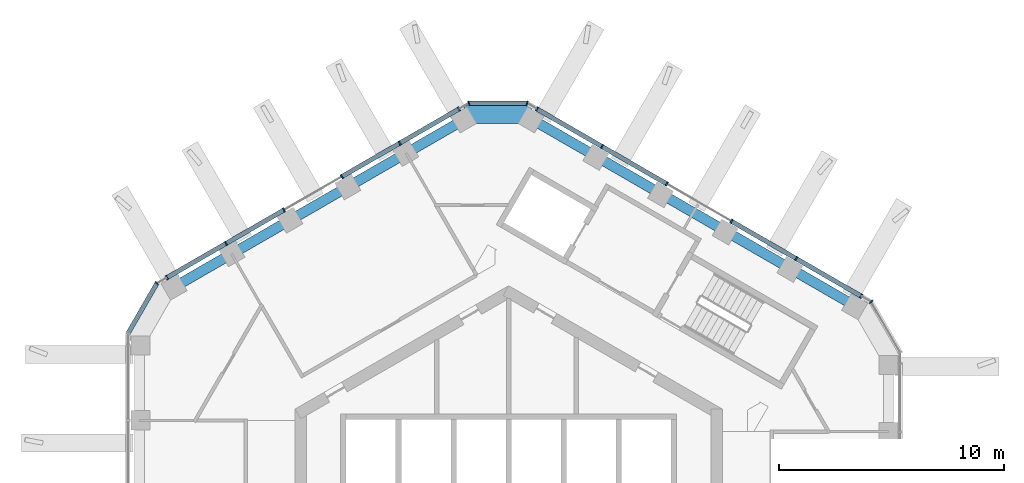
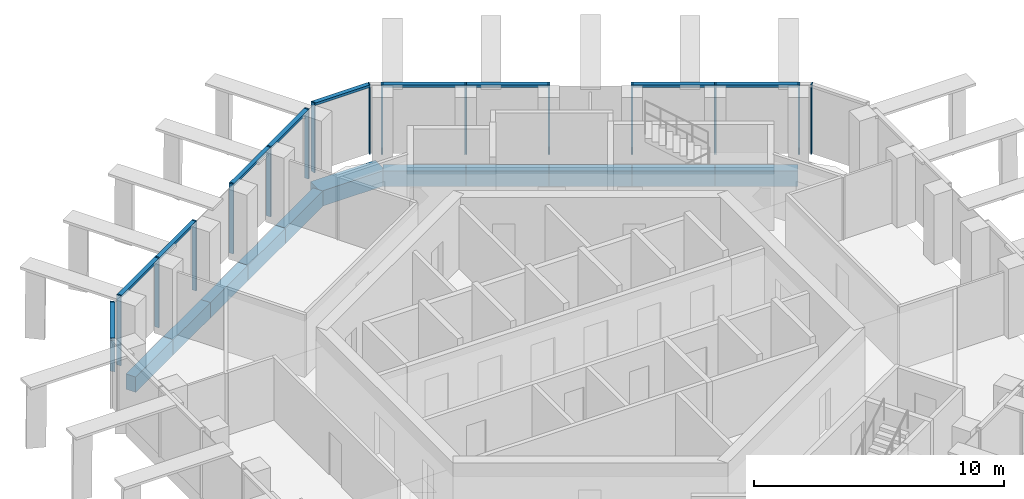
# One storey, part 5 of 17: 22 members, 11 beams, 5 elements without a shape of their own.
"""IFC4 building model written with IfcOpenShell, lengths in metres."""

from ifc_helpers import new_model, si_unit, direction, frame, origin, origin_2d, place, context, subcontext, project, spatial, rectangle, extrude, material, layer, layer_set, material_profile, profile_set, type_object, element, aggregate, save


model = new_model("IFC4")

# Units and contexts
model_context = context("Model", 3, precision=1e-05, world=origin(), true_north=direction((0.0, 1.0)))
body_context = subcontext(model_context, "Body", "Model", "MODEL_VIEW")
ifc_project = project(units=[si_unit("LENGTHUNIT", "METRE"), si_unit("AREAUNIT", "SQUARE_METRE"), si_unit("VOLUMEUNIT", "CUBIC_METRE"), si_unit("PLANEANGLEUNIT", "RADIAN"), si_unit("MASSUNIT", "GRAM", prefix="KILO")], contexts=[model_context])

# Site, building, storey
site_placement = place(None, origin())
site = spatial("IfcSite", under=ifc_project, at=site_placement, CompositionType="ELEMENT")
building_placement = place(site_placement, origin())
building = spatial("IfcBuilding", under=site, at=building_placement, Name="Ayvan Gate Tower", CompositionType="ELEMENT")
storey_placement = place(building_placement, frame((0.0, 0.0, 246.10009765625)))
storey = spatial("IfcBuildingStorey", under=building, at=storey_placement, Name="L66", CompositionType="ELEMENT", Elevation=246.10009765625)

# Beams
ifc_material_1 = material(Name="Concrete C40/50", Category="concrete")
ifc_material_profile_1 = material_profile(ifc_material_1, rectangle(XDim=0.800048828125, YDim=0.75, at=origin_2d()), Name="RC 800x750")
ifc_profile_set_1 = profile_set([ifc_material_profile_1], Name="Concrete C40/50")
beam_type_1 = type_object("IfcBeamType", Name="Corner spandrel beam RC 800x750 C40/50", PredefinedType="BEAM", material=ifc_profile_set_1)
beam_1_placement = place(storey_placement, frame((1.037841796875, 18.587158203125, -0.72509765625), z_axis=(-1.0, 0.0, 0.0), x_axis=(0.0, -1.0, 0.0)))
element("IfcBeam", 1, at=beam_1_placement, inside=storey, type_object=beam_type_1, Name="SB-L66-12", PredefinedType="BEAM", context=body_context, shape_type="SweptSolid", body=[
    extrude(rectangle(XDim=0.800048828125, YDim=0.75, at=origin_2d()), origin(), (0.0, 0.0, 1.0), 3.0),
])
ifc_material_profile_2 = material_profile(ifc_material_1, rectangle(XDim=0.449951171875, YDim=0.75, at=origin_2d()), Name="RC 450x750")
ifc_profile_set_2 = profile_set([ifc_material_profile_2], Name="Concrete C40/50")
beam_type_2 = type_object("IfcBeamType", Name="Spandrel beam RC 450x750 C40/50", PredefinedType="BEAM", material=ifc_profile_set_2)
beam_2_placement = place(storey_placement, frame((15.387451171875, 10.08251953125, -0.72509765625), z_axis=(-0.866049406461, 0.49995842384, 0.0), x_axis=(-0.49995842384, -0.866049406461, 0.0)))
element("IfcBeam", 2, at=beam_2_placement, inside=storey, type_object=beam_type_2, Name="SB-L66-7", PredefinedType="BEAM", context=body_context, shape_type="SweptSolid", body=[
    extrude(rectangle(XDim=0.449951171875, YDim=0.75, at=origin_2d()), origin(), (0.0, 0.0, 1.0), 3.313720703125),
])
for number, where, z_axis, x_axis, name in (
    (3, (12.517578125, 11.7392578125, -0.72509765625), (-0.866017505439, 0.500013680086, 0.0), (-0.500013680086, -0.866017505439, 0.0), "SB-L66-8"),
    (4, (9.647705078125, 13.396240234375, -0.72509765625), (-0.866017505439, 0.500013680086, 0.0), (-0.500013680086, -0.866017505439, 0.0), "SB-L66-9"),
    (5, (6.77783203125, 15.05322265625, -0.72509765625), (-0.866035922751, 0.499981780173, 0.0), (-0.499981780173, -0.866035922751, 0.0), "SB-L66-10"),
    (6, (3.90771484375, 16.710205078125, -0.72509765625), (-0.866017505439, 0.500013680086, 0.0), (-0.500013680086, -0.866017505439, 0.0), "SB-L66-11"),
):
    element("IfcBeam", number, at=place(storey_placement, frame(where, z_axis=z_axis, x_axis=x_axis)), inside=storey, type_object=beam_type_2, Name=name, PredefinedType="BEAM", context=body_context, shape_type="SweptSolid", body=[
        extrude(rectangle(XDim=0.449951171875, YDim=0.75, at=origin_2d()), origin(), (0.0, 0.0, 1.0), 3.31396484375),
    ])
beam_3_placement = place(storey_placement, frame((-1.962158203125, 18.3671875, -0.72509765625), z_axis=(-0.866021254674, -0.500007186402, 0.0), x_axis=(0.500007186402, -0.866021254674, 0.0)))
element("IfcBeam", 7, at=beam_3_placement, inside=storey, type_object=beam_type_2, Name="SB-L66-13", PredefinedType="BEAM", context=body_context, shape_type="SweptSolid", body=[
    extrude(rectangle(XDim=0.449951171875, YDim=0.75, at=origin_2d()), origin(), (0.0, 0.0, 1.0), 2.99365234375),
])
beam_4_placement = place(storey_placement, frame((-4.5546875, 16.870361328125, -0.72509765625), z_axis=(-0.866041641584, -0.499971874252, 0.0), x_axis=(0.499971874252, -0.866041641584, 0.0)))
element("IfcBeam", 8, at=beam_4_placement, inside=storey, type_object=beam_type_2, Name="SB-L66-14", PredefinedType="BEAM", context=body_context, shape_type="SweptSolid", body=[
    extrude(rectangle(XDim=0.449951171875, YDim=0.75, at=origin_2d()), origin(), (0.0, 0.0, 1.0), 2.993896484375),
])
beam_5_placement = place(storey_placement, frame((-7.1474609375, 15.37353515625, -0.72509765625), z_axis=(-0.865985939725, -0.500068347527, 0.0), x_axis=(0.500068347527, -0.865985939725, 0.0)))
element("IfcBeam", 9, at=beam_5_placement, inside=storey, type_object=beam_type_2, Name="SB-L66-15", PredefinedType="BEAM", context=body_context, shape_type="SweptSolid", body=[
    extrude(rectangle(XDim=0.449951171875, YDim=0.75, at=origin_2d()), origin(), (0.0, 0.0, 1.0), 2.99365234375),
])
beam_6_placement = place(storey_placement, frame((-9.739990234375, 13.87646484375, -0.72509765625), z_axis=(-0.866041641584, -0.499971874252, 0.0), x_axis=(0.499971874252, -0.866041641584, 0.0)))
element("IfcBeam", 10, at=beam_6_placement, inside=storey, type_object=beam_type_2, Name="SB-L66-16", PredefinedType="BEAM", context=body_context, shape_type="SweptSolid", body=[
    extrude(rectangle(XDim=0.449951171875, YDim=0.75, at=origin_2d()), origin(), (0.0, 0.0, 1.0), 2.993896484375),
])
beam_7_placement = place(storey_placement, frame((-12.332763671875, 12.379638671875, -0.72509765625), z_axis=(-0.866021254674, -0.500007186402, 0.0), x_axis=(0.500007186402, -0.866021254674, 0.0)))
element("IfcBeam", 11, at=beam_7_placement, inside=storey, type_object=beam_type_2, Name="SB-L66-17", PredefinedType="BEAM", context=body_context, shape_type="SweptSolid", body=[
    extrude(rectangle(XDim=0.449951171875, YDim=0.75, at=origin_2d()), origin(), (0.0, 0.0, 1.0), 2.99365234375),
])

# Curtain wall, members
ifc_material_2 = material(Name="Bronze anodised aluminium", Category="aluminium")
ifc_layer_1 = layer(ifc_material_2, 0.199951171875)
ifc_layer_set_1 = layer_set([ifc_layer_1], Name="Bronze anodised aluminium")
curtain_wall_type_1 = type_object("IfcCurtainWallType", Name="Stick curtain wall CW-2", PredefinedType="NOTDEFINED", material=ifc_layer_set_1)
curtain_wall_1_placement = place(storey_placement, origin())
curtain_wall_1 = element("IfcCurtainWall", 12, at=curtain_wall_1_placement, inside=storey, type_object=curtain_wall_type_1, Name="Stick curtain wall CW-2 L66", PredefinedType="NOTDEFINED")
ifc_material_profile_3 = material_profile(ifc_material_2, rectangle(XDim=0.199951171875, YDim=0.070068359375, at=origin_2d()), Name="Stick curtain wall CW-2 mullion 200 x 70")
ifc_profile_set_3 = profile_set([ifc_material_profile_3], Name="Bronze anodised aluminium")
member_type_1 = type_object("IfcMemberType", Name="Stick curtain wall CW-2 mullion 200 x 70", PredefinedType="MULLION", material=ifc_profile_set_3)
member_1_placement = place(storey_placement, frame((-2.207763671875, 18.83154296875, 0.0), z_axis=(0.0, 0.0, 1.0), x_axis=(-0.5, 0.866025403784, 0.0)))
member_1 = element("IfcMember", 13, at=member_1_placement, type_object=member_type_1, Name="CW-2 mullion 1", PredefinedType="MULLION", context=body_context, shape_type="SweptSolid", body=[
    extrude(rectangle(XDim=0.199951171875, YDim=0.070068359375, at=origin_2d()), origin(), (0.0, 0.0, 1.0), 3.39990234375),
])
member_2_placement = place(storey_placement, frame((-4.843017578125, 17.31005859375, 0.0), z_axis=(0.0, 0.0, 1.0), x_axis=(-0.5, 0.866025403784, 0.0)))
member_2 = element("IfcMember", 14, at=member_2_placement, type_object=member_type_1, Name="CW-2 mullion 2", PredefinedType="MULLION", context=body_context, shape_type="SweptSolid", body=[
    extrude(rectangle(XDim=0.199951171875, YDim=0.070068359375, at=origin_2d()), origin(), (0.0, 0.0, 1.0), 3.39990234375),
])
member_3_placement = place(storey_placement, frame((-7.418701171875, 15.822998046875, 0.0), z_axis=(0.0, 0.0, 1.0), x_axis=(-0.5, 0.866025403784, 0.0)))
member_3 = element("IfcMember", 15, at=member_3_placement, type_object=member_type_1, Name="CW-2 mullion 3", PredefinedType="MULLION", context=body_context, shape_type="SweptSolid", body=[
    extrude(rectangle(XDim=0.199951171875, YDim=0.070068359375, at=origin_2d()), origin(), (0.0, 0.0, 1.0), 3.39990234375),
])
member_4_placement = place(storey_placement, frame((-9.994140625, 14.336181640625, 0.0), z_axis=(0.0, 0.0, 1.0), x_axis=(-0.5, 0.866025403784, 0.0)))
member_4 = element("IfcMember", 16, at=member_4_placement, type_object=member_type_1, Name="CW-2 mullion 4", PredefinedType="MULLION", context=body_context, shape_type="SweptSolid", body=[
    extrude(rectangle(XDim=0.199951171875, YDim=0.070068359375, at=origin_2d()), origin(), (0.0, 0.0, 1.0), 3.39990234375),
])
member_5_placement = place(storey_placement, frame((-12.56982421875, 12.84912109375, 0.0), z_axis=(0.0, 0.0, 1.0), x_axis=(-0.5, 0.866025403784, 0.0)))
member_5 = element("IfcMember", 17, at=member_5_placement, type_object=member_type_1, Name="CW-2 mullion 5", PredefinedType="MULLION", context=body_context, shape_type="SweptSolid", body=[
    extrude(rectangle(XDim=0.199951171875, YDim=0.070068359375, at=origin_2d()), origin(), (0.0, 0.0, 1.0), 3.39990234375),
])
member_6_placement = place(storey_placement, frame((-15.204833984375, 11.32763671875, 0.0), z_axis=(0.0, 0.0, 1.0), x_axis=(-0.5, 0.866025403784, 0.0)))
member_6 = element("IfcMember", 18, at=member_6_placement, type_object=member_type_1, Name="CW-2 mullion 6", PredefinedType="MULLION", context=body_context, shape_type="SweptSolid", body=[
    extrude(rectangle(XDim=0.199951171875, YDim=0.070068359375, at=origin_2d()), origin(), (0.0, 0.0, 1.0), 3.39990234375),
])

curtain_wall_2_placement = place(storey_placement, origin())
curtain_wall_2 = element("IfcCurtainWall", 19, at=curtain_wall_2_placement, inside=storey, type_object=curtain_wall_type_1, Name="Stick curtain wall CW-2 L66", PredefinedType="NOTDEFINED")
member_7_placement = place(storey_placement, frame((15.679443359375, 10.50537109375, 0.0), z_axis=(0.0, 0.0, 1.0), x_axis=(0.5, 0.866025403784, 0.0)))
member_7 = element("IfcMember", 20, at=member_7_placement, type_object=member_type_1, Name="CW-2 mullion 1", PredefinedType="MULLION", context=body_context, shape_type="SweptSolid", body=[
    extrude(rectangle(XDim=0.199951171875, YDim=0.070068359375, at=origin_2d()), origin(), (0.0, 0.0, 1.0), 3.39990234375),
])
member_8_placement = place(storey_placement, frame((12.7861328125, 12.176025390625, 0.0), z_axis=(0.0, 0.0, 1.0), x_axis=(0.5, 0.866025403784, 0.0)))
member_8 = element("IfcMember", 21, at=member_8_placement, type_object=member_type_1, Name="CW-2 mullion 2", PredefinedType="MULLION", context=body_context, shape_type="SweptSolid", body=[
    extrude(rectangle(XDim=0.199951171875, YDim=0.070068359375, at=origin_2d()), origin(), (0.0, 0.0, 1.0), 3.39990234375),
])
member_9_placement = place(storey_placement, frame((9.908447265625, 13.83740234375, 0.0), z_axis=(0.0, 0.0, 1.0), x_axis=(0.5, 0.866025403784, 0.0)))
member_9 = element("IfcMember", 22, at=member_9_placement, type_object=member_type_1, Name="CW-2 mullion 3", PredefinedType="MULLION", context=body_context, shape_type="SweptSolid", body=[
    extrude(rectangle(XDim=0.199951171875, YDim=0.070068359375, at=origin_2d()), origin(), (0.0, 0.0, 1.0), 3.39990234375),
])
member_10_placement = place(storey_placement, frame((7.02978515625, 15.49951171875, 0.0), z_axis=(0.0, 0.0, 1.0), x_axis=(0.5, 0.866025403784, 0.0)))
member_10 = element("IfcMember", 23, at=member_10_placement, type_object=member_type_1, Name="CW-2 mullion 4", PredefinedType="MULLION", context=body_context, shape_type="SweptSolid", body=[
    extrude(rectangle(XDim=0.199951171875, YDim=0.070068359375, at=origin_2d()), origin(), (0.0, 0.0, 1.0), 3.39990234375),
])
member_11_placement = place(storey_placement, frame((4.151123046875, 17.161376953125, 0.0), z_axis=(0.0, 0.0, 1.0), x_axis=(0.5, 0.866025403784, 0.0)))
member_11 = element("IfcMember", 24, at=member_11_placement, type_object=member_type_1, Name="CW-2 mullion 5", PredefinedType="MULLION", context=body_context, shape_type="SweptSolid", body=[
    extrude(rectangle(XDim=0.199951171875, YDim=0.070068359375, at=origin_2d()), origin(), (0.0, 0.0, 1.0), 3.39990234375),
])
member_12_placement = place(storey_placement, frame((1.258056640625, 18.83154296875, 0.0), z_axis=(0.0, 0.0, 1.0), x_axis=(0.5, 0.866025403784, 0.0)))
member_12 = element("IfcMember", 25, at=member_12_placement, type_object=member_type_1, Name="CW-2 mullion 6", PredefinedType="MULLION", context=body_context, shape_type="SweptSolid", body=[
    extrude(rectangle(XDim=0.199951171875, YDim=0.070068359375, at=origin_2d()), origin(), (0.0, 0.0, 1.0), 3.39990234375),
])

# Member
ifc_material_profile_4 = material_profile(ifc_material_2, rectangle(XDim=0.199951171875, YDim=0.1201171875, at=origin_2d()), Name="Stick curtain wall CW-2 transom 200 x 120")
ifc_profile_set_4 = profile_set([ifc_material_profile_4], Name="Bronze anodised aluminium")
member_type_2 = type_object("IfcMemberType", Name="Stick curtain wall CW-2 transom 200 x 120", PredefinedType="USERDEFINED", material=ifc_profile_set_4)
member_13_placement = place(storey_placement, frame((-2.207763671875, 18.83154296875, 3.33984375), z_axis=(-0.866021787241, -0.500006263985, 0.0), x_axis=(0.500006263985, -0.866021787241, 0.0)))
member_13 = element("IfcMember", 26, at=member_13_placement, type_object=member_type_2, Name="CW-2 transom 1", ObjectType="TRANSOM", PredefinedType="USERDEFINED", context=body_context, shape_type="SweptSolid", body=[
    extrude(rectangle(XDim=0.199951171875, YDim=0.1201171875, at=origin_2d()), origin(), (0.0, 0.0, 1.0), 5.98193359375),
])

member_14_placement = place(storey_placement, frame((-10.0244140625, 14.318603515625, 3.33984375), z_axis=(-0.866021787241, -0.500006263985, 0.0), x_axis=(0.500006263985, -0.866021787241, 0.0)))
member_14 = element("IfcMember", 27, at=member_14_placement, type_object=member_type_2, Name="CW-2 transom 2", ObjectType="TRANSOM", PredefinedType="USERDEFINED", context=body_context, shape_type="SweptSolid", body=[
    extrude(rectangle(XDim=0.199951171875, YDim=0.1201171875, at=origin_2d()), origin(), (0.0, 0.0, 1.0), 5.98193359375),
])

aggregate(curtain_wall_1, [member_1, member_2, member_3, member_4, member_5, member_6, member_13, member_14])

member_15_placement = place(storey_placement, frame((15.679443359375, 10.50537109375, 3.33984375), z_axis=(-0.866022441125, 0.500005131441, 0.0), x_axis=(-0.500005131441, -0.866022441125, 0.0)))
member_15 = element("IfcMember", 28, at=member_15_placement, type_object=member_type_2, Name="CW-2 transom 1", ObjectType="TRANSOM", PredefinedType="USERDEFINED", context=body_context, shape_type="SweptSolid", body=[
    extrude(rectangle(XDim=0.199951171875, YDim=0.1201171875, at=origin_2d()), origin(), (0.0, 0.0, 1.0), 6.62890625),
])

member_16_placement = place(storey_placement, frame((6.999267578125, 15.516845703125, 3.33984375), z_axis=(-0.866024908328, 0.500000858155, 0.0), x_axis=(-0.500000858155, -0.866024908328, 0.0)))
member_16 = element("IfcMember", 29, at=member_16_placement, type_object=member_type_2, Name="CW-2 transom 2", ObjectType="TRANSOM", PredefinedType="USERDEFINED", context=body_context, shape_type="SweptSolid", body=[
    extrude(rectangle(XDim=0.199951171875, YDim=0.1201171875, at=origin_2d()), origin(), (0.0, 0.0, 1.0), 6.62939453125),
])

aggregate(curtain_wall_2, [member_7, member_8, member_9, member_10, member_11, member_12, member_15, member_16])

# Curtain wall, member
ifc_layer_2 = layer(ifc_material_2, 0.199951171875)
ifc_layer_set_2 = layer_set([ifc_layer_2], Name="Bronze anodised aluminium")
curtain_wall_type_2 = type_object("IfcCurtainWallType", Name="Stick curtain wall CW-6", PredefinedType="NOTDEFINED", material=ifc_layer_set_2)
curtain_wall_3_placement = place(storey_placement, origin())
curtain_wall_3 = element("IfcCurtainWall", 30, at=curtain_wall_3_placement, inside=storey, type_object=curtain_wall_type_2, Name="Stick curtain wall CW-6 L66", PredefinedType="NOTDEFINED")
ifc_material_profile_5 = material_profile(ifc_material_2, rectangle(XDim=0.199951171875, YDim=0.050048828125, at=origin_2d()), Name="Stick curtain wall CW-6 mullion 200 x 50")
ifc_profile_set_5 = profile_set([ifc_material_profile_5], Name="Bronze anodised aluminium")
member_type_3 = type_object("IfcMemberType", Name="Stick curtain wall CW-6 mullion 200 x 50", PredefinedType="MULLION", material=ifc_profile_set_5)
member_17_placement = place(storey_placement, frame((-15.646484375, 11.07275390625, 0.0), z_axis=(0.0, 0.0, 1.0), x_axis=(-0.707106781187, 0.707106781187, 0.0)))
member_17 = element("IfcMember", 31, at=member_17_placement, type_object=member_type_3, Name="CW-6 mullion 2", PredefinedType="MULLION", context=body_context, shape_type="SweptSolid", body=[
    extrude(rectangle(XDim=0.199951171875, YDim=0.050048828125, at=origin_2d()), origin(), (0.0, 0.0, 1.0), 3.39990234375),
])

curtain_wall_4_placement = place(storey_placement, origin())
curtain_wall_4 = element("IfcCurtainWall", 32, at=curtain_wall_4_placement, inside=storey, type_object=curtain_wall_type_2, Name="Stick curtain wall CW-6 L66", PredefinedType="NOTDEFINED")
member_18_placement = place(storey_placement, frame((16.12109375, 10.25048828125, 0.0), z_axis=(0.0, 0.0, 1.0), x_axis=(0.707106781187, 0.707106781187, 0.0)))
member_18 = element("IfcMember", 33, at=member_18_placement, type_object=member_type_3, Name="CW-6 mullion 3", PredefinedType="MULLION", context=body_context, shape_type="SweptSolid", body=[
    extrude(rectangle(XDim=0.199951171875, YDim=0.050048828125, at=origin_2d()), origin(), (0.0, 0.0, 1.0), 3.39990234375),
])
aggregate(curtain_wall_4, [member_18])

# Curtain wall, members
curtain_wall_5_placement = place(storey_placement, origin())
curtain_wall_5 = element("IfcCurtainWall", 34, at=curtain_wall_5_placement, inside=storey, type_object=curtain_wall_type_2, Name="Stick curtain wall CW-6 L66", PredefinedType="NOTDEFINED")
member_19_placement = place(storey_placement, frame((0.81640625, 19.086669921875, 0.0), z_axis=(0.0, 0.0, 1.0), x_axis=(0.258819045103, 0.965925826289, 0.0)))
member_19 = element("IfcMember", 35, at=member_19_placement, type_object=member_type_3, Name="CW-6 mullion 2", PredefinedType="MULLION", context=body_context, shape_type="SweptSolid", body=[
    extrude(rectangle(XDim=0.199951171875, YDim=0.050048828125, at=origin_2d()), origin(), (0.0, 0.0, 1.0), 3.39990234375),
])
member_20_placement = place(storey_placement, frame((-1.76611328125, 19.086669921875, 0.0), z_axis=(0.0, 0.0, 1.0), x_axis=(-0.258819045103, 0.965925826289, 0.0)))
member_20 = element("IfcMember", 36, at=member_20_placement, type_object=member_type_3, Name="CW-6 mullion 3", PredefinedType="MULLION", context=body_context, shape_type="SweptSolid", body=[
    extrude(rectangle(XDim=0.199951171875, YDim=0.050048828125, at=origin_2d()), origin(), (0.0, 0.0, 1.0), 3.39990234375),
])

# Member
ifc_material_profile_6 = material_profile(ifc_material_2, rectangle(XDim=0.199951171875, YDim=0.1201171875, at=origin_2d()), Name="Stick curtain wall CW-6 transom 200 x 120")
ifc_profile_set_6 = profile_set([ifc_material_profile_6], Name="Bronze anodised aluminium")
member_type_4 = type_object("IfcMemberType", Name="Stick curtain wall CW-6 transom 200 x 120", PredefinedType="USERDEFINED", material=ifc_profile_set_6)
member_21_placement = place(storey_placement, frame((-15.658935546875, 11.051025390625, 3.33984375), z_axis=(-0.500047902311, -0.865997745606, 0.0), x_axis=(0.865997745606, -0.500047902311, 0.0)))
member_21 = element("IfcMember", 37, at=member_21_placement, type_object=member_type_4, Name="CW-6 transom 1", ObjectType="TRANSOM", PredefinedType="USERDEFINED", context=body_context, shape_type="SweptSolid", body=[
    extrude(rectangle(XDim=0.199951171875, YDim=0.1201171875, at=origin_2d()), origin(), (0.0, 0.0, 1.0), 2.532470703125),
])

aggregate(curtain_wall_3, [member_17, member_21])

member_22_placement = place(storey_placement, frame((0.79150390625, 19.086669921875, 3.33984375), z_axis=(-1.0, 0.0, 0.0), x_axis=(0.0, -1.0, 0.0)))
member_22 = element("IfcMember", 38, at=member_22_placement, type_object=member_type_4, Name="CW-6 transom 2", ObjectType="TRANSOM", PredefinedType="USERDEFINED", context=body_context, shape_type="SweptSolid", body=[
    extrude(rectangle(XDim=0.199951171875, YDim=0.1201171875, at=origin_2d()), origin(), (0.0, 0.0, 1.0), 2.532470703125),
])

aggregate(curtain_wall_5, [member_19, member_20, member_22])

save(model, "model.ifc")
